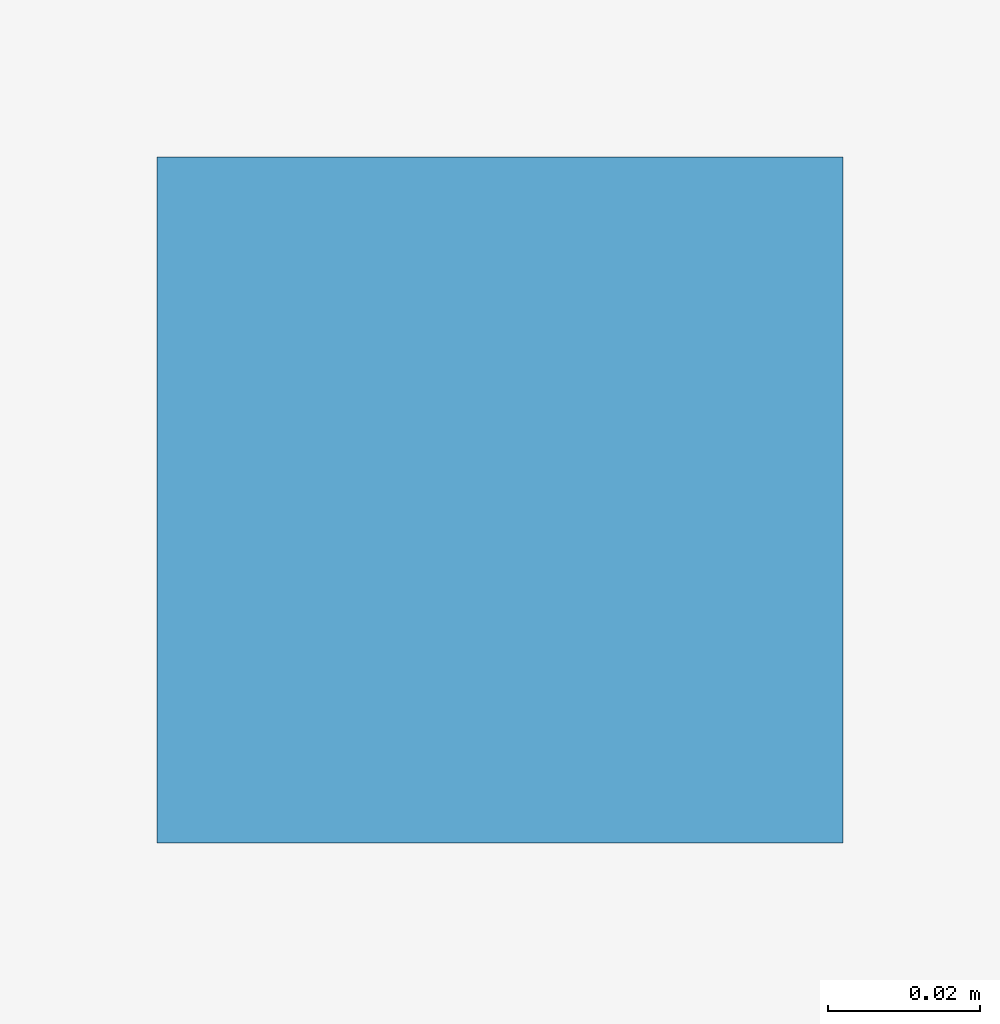
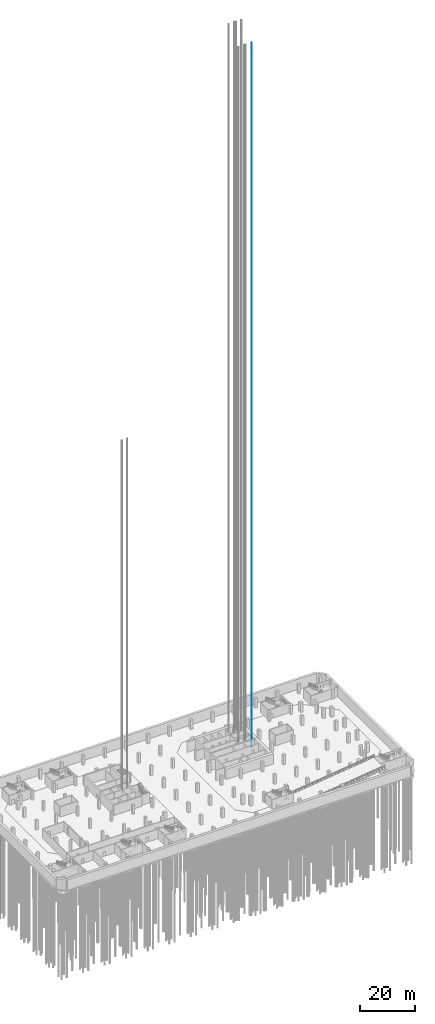
# One storey, part 11 of 30: 1 member.
"""IFC4 building model written with IfcOpenShell, lengths in metres."""

from ifc_helpers import new_model, si_unit, direction, frame, origin, origin_2d, place, context, subcontext, project, spatial, rectangle, extrude, material, material_profile, profile_set, type_object, element, save


model = new_model("IFC4")

# Units and contexts
model_context = context("Model", 3, precision=1e-05, world=origin(), true_north=direction((0.0, 1.0)))
body_context = subcontext(model_context, "Body", "Model", "MODEL_VIEW")
ifc_project = project(units=[si_unit("LENGTHUNIT", "METRE"), si_unit("AREAUNIT", "SQUARE_METRE"), si_unit("VOLUMEUNIT", "CUBIC_METRE"), si_unit("PLANEANGLEUNIT", "RADIAN"), si_unit("MASSUNIT", "GRAM", prefix="KILO")], contexts=[model_context])

# Site, building, storey
site_placement = place(None, origin())
site = spatial("IfcSite", under=ifc_project, at=site_placement, CompositionType="ELEMENT")
building_placement = place(site_placement, origin())
building = spatial("IfcBuilding", under=site, at=building_placement, Name="Cinnabar Reach Civic Tower", CompositionType="ELEMENT")
storey_placement = place(building_placement, frame((0.0, 0.0, -14.0)))
storey = spatial("IfcBuildingStorey", under=building, at=storey_placement, Name="B3", CompositionType="ELEMENT", Elevation=-14.0)

# Member
ifc_material = material(Name="Steel Q355B", Category="steel")
ifc_material_profile = material_profile(ifc_material, rectangle(XDim=0.09, YDim=0.09, at=origin_2d()), Name="T1 lift guide rail")
ifc_profile_set = profile_set([ifc_material_profile], Name="Steel Q355B")
member_type = type_object("IfcMemberType", Name="T1 lift guide rail", PredefinedType="USERDEFINED", material=ifc_profile_set)
member_placement = place(storey_placement, frame((22.28, 33.0, 0.0), z_axis=(0.0, 0.0, 1.0), x_axis=(1.0, 0.0, 0.0)))
element("IfcMember", 1, at=member_placement, inside=storey, type_object=member_type, Name="T1-SV2 guide rail 2", ObjectType="GUIDE RAIL", PredefinedType="USERDEFINED", context=body_context, shape_type="SweptSolid", body=[
    extrude(rectangle(XDim=0.09, YDim=0.09, at=origin_2d()), origin(), (0.0, 0.0, 1.0), 311.05),
])

save(model, "model.ifc")
